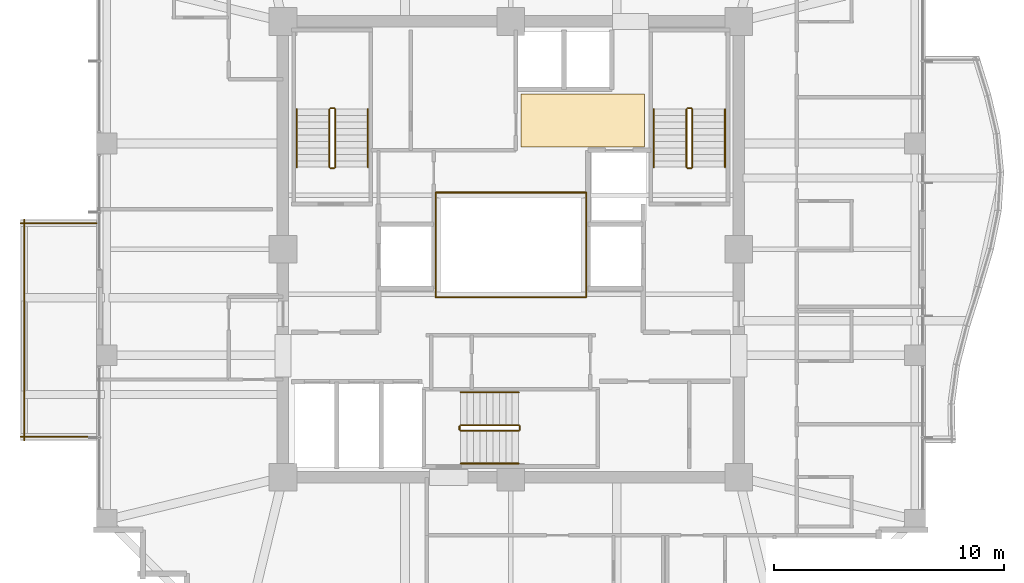
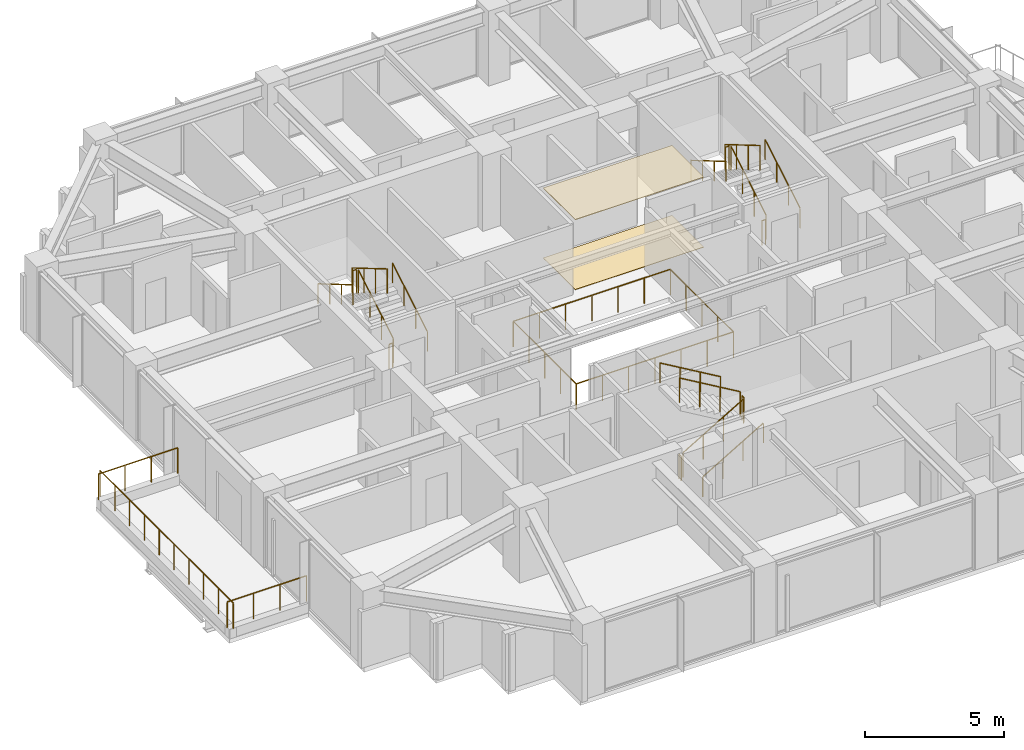
# One storey, part 31 of 32: 25 railings, 2 coverings.
"""IFC4 building model written with IfcOpenShell, lengths in metres."""

from ifc_helpers import new_model, si_unit, direction, frame, origin, origin_2d, place, context, subcontext, project, spatial, polyline, circle, outline, extrude, material, layer, layer_set, type_object, element, save


model = new_model("IFC4")

# Units and contexts
model_context = context("Model", 3, precision=1e-05, world=origin(), true_north=direction((0.0, 1.0)))
body_context = subcontext(model_context, "Body", "Model", "MODEL_VIEW")
ifc_project = project(units=[si_unit("LENGTHUNIT", "METRE"), si_unit("AREAUNIT", "SQUARE_METRE"), si_unit("VOLUMEUNIT", "CUBIC_METRE"), si_unit("PLANEANGLEUNIT", "RADIAN"), si_unit("MASSUNIT", "GRAM", prefix="KILO")], contexts=[model_context])

# Site, building, storey
site_placement = place(None, origin())
site = spatial("IfcSite", under=ifc_project, at=site_placement, CompositionType="ELEMENT")
building_placement = place(site_placement, origin())
building = spatial("IfcBuilding", under=site, at=building_placement, Name="Kolvaren Belvedere", CompositionType="ELEMENT")
storey_placement = place(building_placement, frame((0.0, 0.0, 141.5)))
storey = spatial("IfcBuildingStorey", under=building, at=storey_placement, Name="L41", CompositionType="ELEMENT", Elevation=141.5)

# Coverings
ifc_material_1 = material(Name="Acoustic perforated gypsum board", Category="gypsum")
ifc_layer_1 = layer(ifc_material_1, 0.02490234375)
ifc_layer_set_1 = layer_set([ifc_layer_1], Name="Acoustic perforated gypsum board")
covering_type_1 = type_object("IfcCoveringType", Name="COV-CEIL-GYP", PredefinedType="CEILING", material=ifc_layer_set_1)
covering_1_placement = place(storey_placement, frame((0.0, 0.0, 3.074951171875)))
element("IfcCovering", 1, at=covering_1_placement, inside=storey, type_object=covering_type_1, Name="L41 Lift Lobby Acoustic Baffle Ceiling", PredefinedType="CEILING", context=body_context, shape_type="SweptSolid", body=[
    extrude(outline(polyline([(0.449951171875, 4.449951171875), (5.800048828125, 4.449951171875), (5.800048828125, 6.75), (0.449951171875, 6.75), (0.449951171875, 4.449951171875)])), origin(), (0.0, 0.0, 1.0), 0.025146484375),
])
ifc_material_2 = material(Name="Engineered Pacific white oak", Category="timber")
ifc_layer_2 = layer(ifc_material_2, 0.02001953125)
ifc_layer_set_2 = layer_set([ifc_layer_2], Name="Engineered Pacific white oak")
covering_type_2 = type_object("IfcCoveringType", Name="COV-FLR-OAK", PredefinedType="FLOORING", material=ifc_layer_set_2)
covering_2_placement = place(storey_placement, origin())
element("IfcCovering", 2, at=covering_2_placement, inside=storey, type_object=covering_type_2, Name="L41 Lift Lobby Finish Flooring", PredefinedType="FLOORING", context=body_context, shape_type="SweptSolid", body=[
    extrude(outline(polyline([(0.449951171875, 4.449951171875), (5.800048828125, 4.449951171875), (5.800048828125, 6.75), (0.449951171875, 6.75), (0.449951171875, 4.449951171875)])), origin(), (0.0, 0.0, 1.0), 0.02001953125),
])

# Railings
ifc_material_3 = material(Name="Laminated glass & stainless-steel cap rail", Category="steel")
railing_type_1 = type_object("IfcRailingType", Name="RL-ATR-1150", PredefinedType="BALUSTRADE", material=ifc_material_3)
for number, where, name in (
    (3, (-3.27001953125, 2.469970703125, 0.0), "L41 Atrium North Glass Balustrade"),
    (4, (-3.27001953125, -2.070068359375, 0.0), "L41 Atrium South Glass Balustrade"),
):
    element("IfcRailing", number, at=place(storey_placement, frame(where)), inside=storey, type_object=railing_type_1, Name=name, PredefinedType="BALUSTRADE", context=body_context, shape_type="SweptSolid", body=[
        extrude(circle(Radius=0.02392578125, at=origin_2d()), frame((0.0, 0.0, 1.1259765625), z_axis=(1.0, 0.0, 0.0), x_axis=(0.0, 1.0, 0.0)), (0.0, 0.0, 1.0), 6.5400390625),
        extrude(circle(Radius=0.02099609375, at=origin_2d()), origin(), (0.0, 0.0, 1.0), 1.101806640625),
        extrude(circle(Radius=0.02099609375, at=origin_2d()), frame((1.090087890625, 0.0, 0.0)), (0.0, 0.0, 1.0), 1.101806640625),
        extrude(circle(Radius=0.02099609375, at=origin_2d()), frame((2.179931640625, 0.0, 0.0)), (0.0, 0.0, 1.0), 1.101806640625),
        extrude(circle(Radius=0.02099609375, at=origin_2d()), frame((3.27001953125, 0.0, 0.0)), (0.0, 0.0, 1.0), 1.101806640625),
        extrude(circle(Radius=0.02099609375, at=origin_2d()), frame((4.360107421875, 0.0, 0.0)), (0.0, 0.0, 1.0), 1.101806640625),
        extrude(circle(Radius=0.02099609375, at=origin_2d()), frame((5.449951171875, 0.0, 0.0)), (0.0, 0.0, 1.0), 1.101806640625),
        extrude(circle(Radius=0.02099609375, at=origin_2d()), frame((6.5400390625, 0.0, 0.0)), (0.0, 0.0, 1.0), 1.101806640625),
    ])
for number, where, name in (
    (5, (-3.27001953125, -2.070068359375, 0.0), "L41 Atrium West Glass Balustrade"),
    (6, (3.27001953125, -2.070068359375, 0.0), "L41 Atrium East Glass Balustrade"),
):
    element("IfcRailing", number, at=place(storey_placement, frame(where)), inside=storey, type_object=railing_type_1, Name=name, PredefinedType="BALUSTRADE", context=body_context, shape_type="SweptSolid", body=[
        extrude(circle(Radius=0.02392578125, at=origin_2d()), frame((0.0, 0.0, 1.1259765625), z_axis=(0.0, 1.0, 0.0), x_axis=(-1.0, 0.0, 0.0)), (0.0, 0.0, 1.0), 4.5400390625),
        extrude(circle(Radius=0.02099609375, at=origin_2d()), origin(), (0.0, 0.0, 1.0), 1.101806640625),
        extrude(circle(Radius=0.02099609375, at=origin_2d()), frame((0.0, 1.135009765625, 0.0)), (0.0, 0.0, 1.0), 1.101806640625),
        extrude(circle(Radius=0.02099609375, at=origin_2d()), frame((0.0, 2.27001953125, 0.0)), (0.0, 0.0, 1.0), 1.101806640625),
        extrude(circle(Radius=0.02099609375, at=origin_2d()), frame((0.0, 3.405029296875, 0.0)), (0.0, 0.0, 1.0), 1.101806640625),
        extrude(circle(Radius=0.02099609375, at=origin_2d()), frame((0.0, 4.5400390625, 0.0)), (0.0, 0.0, 1.0), 1.101806640625),
    ])
ifc_material_4 = material(Name="Anodised pale-metal aluminium & laminated glass guard", Category="aluminium")
railing_type_2 = type_object("IfcRailingType", Name="RL-GUARD-1150", PredefinedType="GUARDRAIL", material=ifc_material_4)
railing_1_placement = place(storey_placement, frame((-21.300048828125, -8.139892578125, 0.39990234375)))
element("IfcRailing", 7, at=railing_1_placement, inside=storey, type_object=railing_type_2, Name="L41 Exterior Deck Safety Guard SPIRAL-06-W-1", PredefinedType="GUARDRAIL", context=body_context, shape_type="SweptSolid", body=[
    extrude(circle(Radius=0.02392578125, at=origin_2d()), frame((0.0, 0.0, 1.1259765625), z_axis=(1.0, 0.0, 0.0), x_axis=(0.0, 1.0, 0.0)), (0.0, 0.0, 1.0), 3.300048828125),
    extrude(circle(Radius=0.02099609375, at=origin_2d()), origin(), (0.0, 0.0, 1.0), 1.101806640625),
    extrude(circle(Radius=0.02099609375, at=origin_2d()), frame((1.10009765625, 0.0, 0.0)), (0.0, 0.0, 1.0), 1.101806640625),
    extrude(circle(Radius=0.02099609375, at=origin_2d()), frame((2.199951171875, 0.0, 0.0)), (0.0, 0.0, 1.0), 1.101806640625),
    extrude(circle(Radius=0.02099609375, at=origin_2d()), frame((3.300048828125, 0.0, 0.0)), (0.0, 0.0, 1.0), 1.101806640625),
])
railing_2_placement = place(storey_placement, frame((-18.0, 1.139892578125, 0.39990234375)))
element("IfcRailing", 8, at=railing_2_placement, inside=storey, type_object=railing_type_2, Name="L41 Exterior Deck Safety Guard SPIRAL-06-W-3", PredefinedType="GUARDRAIL", context=body_context, shape_type="SweptSolid", body=[
    extrude(circle(Radius=0.02392578125, at=origin_2d()), frame((0.0, 0.0, 1.1259765625), z_axis=(-1.0, 0.0, 0.0), x_axis=(0.0, -1.0, 0.0)), (0.0, 0.0, 1.0), 3.300048828125),
    extrude(circle(Radius=0.02099609375, at=origin_2d()), origin(), (0.0, 0.0, 1.0), 1.101806640625),
    extrude(circle(Radius=0.02099609375, at=origin_2d()), frame((-1.10009765625, 0.0, 0.0)), (0.0, 0.0, 1.0), 1.101806640625),
    extrude(circle(Radius=0.02099609375, at=origin_2d()), frame((-2.199951171875, 0.0, 0.0)), (0.0, 0.0, 1.0), 1.101806640625),
    extrude(circle(Radius=0.02099609375, at=origin_2d()), frame((-3.300048828125, 0.0, 0.0)), (0.0, 0.0, 1.0), 1.101806640625),
])
railing_3_placement = place(storey_placement, frame((-21.139892578125, 1.300048828125, 0.39990234375)))
element("IfcRailing", 9, at=railing_3_placement, inside=storey, type_object=railing_type_2, Name="L41 Exterior Deck Safety Guard SPIRAL-06-W-4", PredefinedType="GUARDRAIL", context=body_context, shape_type="SweptSolid", body=[
    extrude(circle(Radius=0.02392578125, at=origin_2d()), frame((0.0, 0.0, 1.1259765625), z_axis=(0.0, -1.0, 0.0), x_axis=(1.0, 0.0, 0.0)), (0.0, 0.0, 1.0), 9.60009765625),
    extrude(circle(Radius=0.02099609375, at=origin_2d()), origin(), (0.0, 0.0, 1.0), 1.101806640625),
    extrude(circle(Radius=0.02099609375, at=origin_2d()), frame((0.0, -1.066650390625, 0.0)), (0.0, 0.0, 1.0), 1.101806640625),
    extrude(circle(Radius=0.02099609375, at=origin_2d()), frame((0.0, -2.13330078125, 0.0)), (0.0, 0.0, 1.0), 1.101806640625),
    extrude(circle(Radius=0.02099609375, at=origin_2d()), frame((0.0, -3.199951171875, 0.0)), (0.0, 0.0, 1.0), 1.101806640625),
    extrude(circle(Radius=0.02099609375, at=origin_2d()), frame((0.0, -4.2666015625, 0.0)), (0.0, 0.0, 1.0), 1.101806640625),
    extrude(circle(Radius=0.02099609375, at=origin_2d()), frame((0.0, -5.33349609375, 0.0)), (0.0, 0.0, 1.0), 1.101806640625),
    extrude(circle(Radius=0.02099609375, at=origin_2d()), frame((0.0, -6.400146484375, 0.0)), (0.0, 0.0, 1.0), 1.101806640625),
    extrude(circle(Radius=0.02099609375, at=origin_2d()), frame((0.0, -7.466796875, 0.0)), (0.0, 0.0, 1.0), 1.101806640625),
    extrude(circle(Radius=0.02099609375, at=origin_2d()), frame((0.0, -8.533447265625, 0.0)), (0.0, 0.0, 1.0), 1.101806640625),
    extrude(circle(Radius=0.02099609375, at=origin_2d()), frame((0.0, -9.60009765625, 0.0)), (0.0, 0.0, 1.0), 1.101806640625),
])
ifc_material_5 = material(Name="Brushed stainless-steel handrail", Category="steel")
railing_type_3 = type_object("IfcRailingType", Name="RL-HANDRAIL-920", PredefinedType="HANDRAIL", material=ifc_material_5)
railing_4_placement = place(storey_placement, frame((-6.2099609375, 3.570068359375, 0.1650390625)))
element("IfcRailing", 10, at=railing_4_placement, inside=storey, type_object=railing_type_3, Name="L41 ST-1 stair handrail 1", PredefinedType="HANDRAIL", context=body_context, shape_type="SweptSolid", body=[
    extrude(circle(Radius=0.02392578125, at=origin_2d()), frame((0.0, 0.0, 0.8759765625), z_axis=(0.0, 0.861560626758, 0.507654692109), x_axis=(-1.0, 0.0, 0.0)), (0.0, 0.0, 1.0), 2.925048828125),
    extrude(circle(Radius=0.02099609375, at=origin_2d()), origin(), (0.0, 0.0, 1.0), 0.851806640625),
    extrude(circle(Radius=0.02099609375, at=origin_2d()), frame((0.0, 0.840087890625, 0.494873046875)), (0.0, 0.0, 1.0), 0.851806640625),
    extrude(circle(Radius=0.02099609375, at=origin_2d()), frame((0.0, 1.679931640625, 0.989990234375)), (0.0, 0.0, 1.0), 0.851806640625),
    extrude(circle(Radius=0.02099609375, at=origin_2d()), frame((0.0, 2.52001953125, 1.48486328125)), (0.0, 0.0, 1.0), 0.851806640625),
])
railing_5_placement = place(storey_placement, frame((-9.300048828125, 6.090087890625, 1.81494140625)))
element("IfcRailing", 11, at=railing_5_placement, inside=storey, type_object=railing_type_3, Name="L41 ST-1 stair handrail 2", PredefinedType="HANDRAIL", context=body_context, shape_type="SweptSolid", body=[
    extrude(circle(Radius=0.02392578125, at=origin_2d()), frame((0.0, 0.0, 0.8759765625), z_axis=(0.0, -0.86152411907, 0.507716645641), x_axis=(1.0, 0.0, 0.0)), (0.0, 0.0, 1.0), 2.925048828125),
    extrude(circle(Radius=0.02099609375, at=origin_2d()), origin(), (0.0, 0.0, 1.0), 0.851806640625),
    extrude(circle(Radius=0.02099609375, at=origin_2d()), frame((0.0, -0.840087890625, 0.4951171875)), (0.0, 0.0, 1.0), 0.851806640625),
    extrude(circle(Radius=0.02099609375, at=origin_2d()), frame((0.0, -1.679931640625, 0.989990234375)), (0.0, 0.0, 1.0), 0.851806640625),
    extrude(circle(Radius=0.02099609375, at=origin_2d()), frame((0.0, -2.52001953125, 1.485107421875)), (0.0, 0.0, 1.0), 0.851806640625),
])
railing_6_placement = place(storey_placement, frame((9.300048828125, 3.570068359375, 0.1650390625)))
element("IfcRailing", 12, at=railing_6_placement, inside=storey, type_object=railing_type_3, Name="L41 ST-2 stair handrail 1", PredefinedType="HANDRAIL", context=body_context, shape_type="SweptSolid", body=[
    extrude(circle(Radius=0.02392578125, at=origin_2d()), frame((0.0, 0.0, 0.8759765625), z_axis=(0.0, 0.861560626758, 0.507654692109), x_axis=(-1.0, 0.0, 0.0)), (0.0, 0.0, 1.0), 2.925048828125),
    extrude(circle(Radius=0.02099609375, at=origin_2d()), origin(), (0.0, 0.0, 1.0), 0.851806640625),
    extrude(circle(Radius=0.02099609375, at=origin_2d()), frame((0.0, 0.840087890625, 0.494873046875)), (0.0, 0.0, 1.0), 0.851806640625),
    extrude(circle(Radius=0.02099609375, at=origin_2d()), frame((0.0, 1.679931640625, 0.989990234375)), (0.0, 0.0, 1.0), 0.851806640625),
    extrude(circle(Radius=0.02099609375, at=origin_2d()), frame((0.0, 2.52001953125, 1.48486328125)), (0.0, 0.0, 1.0), 0.851806640625),
])
railing_7_placement = place(storey_placement, frame((6.2099609375, 6.090087890625, 1.81494140625)))
element("IfcRailing", 13, at=railing_7_placement, inside=storey, type_object=railing_type_3, Name="L41 ST-2 stair handrail 2", PredefinedType="HANDRAIL", context=body_context, shape_type="SweptSolid", body=[
    extrude(circle(Radius=0.02392578125, at=origin_2d()), frame((0.0, 0.0, 0.8759765625), z_axis=(0.0, -0.86152411907, 0.507716645641), x_axis=(1.0, 0.0, 0.0)), (0.0, 0.0, 1.0), 2.925048828125),
    extrude(circle(Radius=0.02099609375, at=origin_2d()), origin(), (0.0, 0.0, 1.0), 0.851806640625),
    extrude(circle(Radius=0.02099609375, at=origin_2d()), frame((0.0, -0.840087890625, 0.4951171875)), (0.0, 0.0, 1.0), 0.851806640625),
    extrude(circle(Radius=0.02099609375, at=origin_2d()), frame((0.0, -1.679931640625, 0.989990234375)), (0.0, 0.0, 1.0), 0.851806640625),
    extrude(circle(Radius=0.02099609375, at=origin_2d()), frame((0.0, -2.52001953125, 1.485107421875)), (0.0, 0.0, 1.0), 0.851806640625),
])
railing_8_placement = place(storey_placement, frame((-2.179931640625, -9.300048828125, 0.1650390625)))
element("IfcRailing", 14, at=railing_8_placement, inside=storey, type_object=railing_type_3, Name="L41 ST-3 stair handrail 1", PredefinedType="HANDRAIL", context=body_context, shape_type="SweptSolid", body=[
    extrude(circle(Radius=0.02392578125, at=origin_2d()), frame((0.0, 0.0, 0.8759765625), z_axis=(0.861560626758, 0.0, 0.507654692109), x_axis=(0.0, 1.0, 0.0)), (0.0, 0.0, 1.0), 2.925048828125),
    extrude(circle(Radius=0.02099609375, at=origin_2d()), origin(), (0.0, 0.0, 1.0), 0.851806640625),
    extrude(circle(Radius=0.02099609375, at=origin_2d()), frame((0.840087890625, 0.0, 0.494873046875)), (0.0, 0.0, 1.0), 0.851806640625),
    extrude(circle(Radius=0.02099609375, at=origin_2d()), frame((1.679931640625, 0.0, 0.989990234375)), (0.0, 0.0, 1.0), 0.851806640625),
    extrude(circle(Radius=0.02099609375, at=origin_2d()), frame((2.52001953125, 0.0, 1.48486328125)), (0.0, 0.0, 1.0), 0.851806640625),
])
railing_9_placement = place(storey_placement, frame((0.340087890625, -6.2099609375, 1.81494140625)))
element("IfcRailing", 15, at=railing_9_placement, inside=storey, type_object=railing_type_3, Name="L41 ST-3 stair handrail 2", PredefinedType="HANDRAIL", context=body_context, shape_type="SweptSolid", body=[
    extrude(circle(Radius=0.02392578125, at=origin_2d()), frame((0.0, 0.0, 0.8759765625), z_axis=(-0.86152411907, 0.0, 0.507716645641), x_axis=(0.0, -1.0, 0.0)), (0.0, 0.0, 1.0), 2.925048828125),
    extrude(circle(Radius=0.02099609375, at=origin_2d()), origin(), (0.0, 0.0, 1.0), 0.851806640625),
    extrude(circle(Radius=0.02099609375, at=origin_2d()), frame((-0.840087890625, 0.0, 0.4951171875)), (0.0, 0.0, 1.0), 0.851806640625),
    extrude(circle(Radius=0.02099609375, at=origin_2d()), frame((-1.679931640625, 0.0, 0.989990234375)), (0.0, 0.0, 1.0), 0.851806640625),
    extrude(circle(Radius=0.02099609375, at=origin_2d()), frame((-2.52001953125, 0.0, 1.485107421875)), (0.0, 0.0, 1.0), 0.851806640625),
])
ifc_material_6 = material(Name="Painted tubular steel stair guard", Category="steel")
railing_type_4 = type_object("IfcRailingType", Name="RL-STGUARD-1100", PredefinedType="GUARDRAIL", material=ifc_material_6)
railing_10_placement = place(storey_placement, frame((-7.6298828125, 3.570068359375, 0.1650390625)))
element("IfcRailing", 16, at=railing_10_placement, inside=storey, type_object=railing_type_4, Name="L41 ST-1 stair guard 1", PredefinedType="GUARDRAIL", context=body_context, shape_type="SweptSolid", body=[
    extrude(circle(Radius=0.02392578125, at=origin_2d()), frame((0.0, 0.0, 1.076171875), z_axis=(0.0, 0.861560626758, 0.507654692109), x_axis=(-1.0, 0.0, 0.0)), (0.0, 0.0, 1.0), 2.925048828125),
    extrude(circle(Radius=0.02099609375, at=origin_2d()), origin(), (0.0, 0.0, 1.0), 1.052001953125),
    extrude(circle(Radius=0.02099609375, at=origin_2d()), frame((0.0, 0.840087890625, 0.494873046875)), (0.0, 0.0, 1.0), 1.052001953125),
    extrude(circle(Radius=0.02099609375, at=origin_2d()), frame((0.0, 1.679931640625, 0.989990234375)), (0.0, 0.0, 1.0), 1.052001953125),
    extrude(circle(Radius=0.02099609375, at=origin_2d()), frame((0.0, 2.52001953125, 1.48486328125)), (0.0, 0.0, 1.0), 1.052001953125),
])
railing_11_placement = place(storey_placement, frame((-7.679931640625, 6.139892578125, 1.64990234375)))
element("IfcRailing", 17, at=railing_11_placement, inside=storey, type_object=railing_type_4, Name="L41 ST-1 stair guard 2", PredefinedType="GUARDRAIL", context=body_context, shape_type="SweptSolid", body=[
    extrude(circle(Radius=0.02392578125, at=origin_2d()), frame((0.0, 0.0, 1.076171875), z_axis=(-1.0, 0.0, 0.0), x_axis=(0.0, -1.0, 0.0)), (0.0, 0.0, 1.0), 0.150146484375),
    extrude(circle(Radius=0.02099609375, at=origin_2d()), origin(), (0.0, 0.0, 1.0), 1.052001953125),
    extrude(circle(Radius=0.02099609375, at=origin_2d()), frame((-0.150146484375, 0.0, 0.0)), (0.0, 0.0, 1.0), 1.052001953125),
])
railing_12_placement = place(storey_placement, frame((-7.8798828125, 6.090087890625, 1.81494140625)))
element("IfcRailing", 18, at=railing_12_placement, inside=storey, type_object=railing_type_4, Name="L41 ST-1 stair guard 3", PredefinedType="GUARDRAIL", context=body_context, shape_type="SweptSolid", body=[
    extrude(circle(Radius=0.02392578125, at=origin_2d()), frame((0.0, 0.0, 1.076171875), z_axis=(0.0, -0.86152411907, 0.507716645641), x_axis=(1.0, 0.0, 0.0)), (0.0, 0.0, 1.0), 2.925048828125),
    extrude(circle(Radius=0.02099609375, at=origin_2d()), origin(), (0.0, 0.0, 1.0), 1.052001953125),
    extrude(circle(Radius=0.02099609375, at=origin_2d()), frame((0.0, -0.840087890625, 0.4951171875)), (0.0, 0.0, 1.0), 1.052001953125),
    extrude(circle(Radius=0.02099609375, at=origin_2d()), frame((0.0, -1.679931640625, 0.989990234375)), (0.0, 0.0, 1.0), 1.052001953125),
    extrude(circle(Radius=0.02099609375, at=origin_2d()), frame((0.0, -2.52001953125, 1.485107421875)), (0.0, 0.0, 1.0), 1.052001953125),
])
railing_13_placement = place(storey_placement, frame((-7.679931640625, 3.52001953125, 0.0)))
element("IfcRailing", 19, at=railing_13_placement, inside=storey, type_object=railing_type_4, Name="L41 ST-1 stair guard 4", PredefinedType="GUARDRAIL", context=body_context, shape_type="SweptSolid", body=[
    extrude(circle(Radius=0.02392578125, at=origin_2d()), frame((0.0, 0.0, 1.076171875), z_axis=(-1.0, 0.0, 0.0), x_axis=(0.0, -1.0, 0.0)), (0.0, 0.0, 1.0), 0.150146484375),
    extrude(circle(Radius=0.02099609375, at=origin_2d()), origin(), (0.0, 0.0, 1.0), 1.052001953125),
    extrude(circle(Radius=0.02099609375, at=origin_2d()), frame((-0.150146484375, 0.0, 0.0)), (0.0, 0.0, 1.0), 1.052001953125),
])
railing_14_placement = place(storey_placement, frame((7.8798828125, 3.570068359375, 0.1650390625)))
element("IfcRailing", 20, at=railing_14_placement, inside=storey, type_object=railing_type_4, Name="L41 ST-2 stair guard 1", PredefinedType="GUARDRAIL", context=body_context, shape_type="SweptSolid", body=[
    extrude(circle(Radius=0.02392578125, at=origin_2d()), frame((0.0, 0.0, 1.076171875), z_axis=(0.0, 0.861560626758, 0.507654692109), x_axis=(-1.0, 0.0, 0.0)), (0.0, 0.0, 1.0), 2.925048828125),
    extrude(circle(Radius=0.02099609375, at=origin_2d()), origin(), (0.0, 0.0, 1.0), 1.052001953125),
    extrude(circle(Radius=0.02099609375, at=origin_2d()), frame((0.0, 0.840087890625, 0.494873046875)), (0.0, 0.0, 1.0), 1.052001953125),
    extrude(circle(Radius=0.02099609375, at=origin_2d()), frame((0.0, 1.679931640625, 0.989990234375)), (0.0, 0.0, 1.0), 1.052001953125),
    extrude(circle(Radius=0.02099609375, at=origin_2d()), frame((0.0, 2.52001953125, 1.48486328125)), (0.0, 0.0, 1.0), 1.052001953125),
])
railing_15_placement = place(storey_placement, frame((7.830078125, 6.139892578125, 1.64990234375)))
element("IfcRailing", 21, at=railing_15_placement, inside=storey, type_object=railing_type_4, Name="L41 ST-2 stair guard 2", PredefinedType="GUARDRAIL", context=body_context, shape_type="SweptSolid", body=[
    extrude(circle(Radius=0.02392578125, at=origin_2d()), frame((0.0, 0.0, 1.076171875), z_axis=(-1.0, 0.0, 0.0), x_axis=(0.0, -1.0, 0.0)), (0.0, 0.0, 1.0), 0.150146484375),
    extrude(circle(Radius=0.02099609375, at=origin_2d()), origin(), (0.0, 0.0, 1.0), 1.052001953125),
    extrude(circle(Radius=0.02099609375, at=origin_2d()), frame((-0.150146484375, 0.0, 0.0)), (0.0, 0.0, 1.0), 1.052001953125),
])
railing_16_placement = place(storey_placement, frame((7.6298828125, 6.090087890625, 1.81494140625)))
element("IfcRailing", 22, at=railing_16_placement, inside=storey, type_object=railing_type_4, Name="L41 ST-2 stair guard 3", PredefinedType="GUARDRAIL", context=body_context, shape_type="SweptSolid", body=[
    extrude(circle(Radius=0.02392578125, at=origin_2d()), frame((0.0, 0.0, 1.076171875), z_axis=(0.0, -0.86152411907, 0.507716645641), x_axis=(1.0, 0.0, 0.0)), (0.0, 0.0, 1.0), 2.925048828125),
    extrude(circle(Radius=0.02099609375, at=origin_2d()), origin(), (0.0, 0.0, 1.0), 1.052001953125),
    extrude(circle(Radius=0.02099609375, at=origin_2d()), frame((0.0, -0.840087890625, 0.4951171875)), (0.0, 0.0, 1.0), 1.052001953125),
    extrude(circle(Radius=0.02099609375, at=origin_2d()), frame((0.0, -1.679931640625, 0.989990234375)), (0.0, 0.0, 1.0), 1.052001953125),
    extrude(circle(Radius=0.02099609375, at=origin_2d()), frame((0.0, -2.52001953125, 1.485107421875)), (0.0, 0.0, 1.0), 1.052001953125),
])
railing_17_placement = place(storey_placement, frame((7.830078125, 3.52001953125, 0.0)))
element("IfcRailing", 23, at=railing_17_placement, inside=storey, type_object=railing_type_4, Name="L41 ST-2 stair guard 4", PredefinedType="GUARDRAIL", context=body_context, shape_type="SweptSolid", body=[
    extrude(circle(Radius=0.02392578125, at=origin_2d()), frame((0.0, 0.0, 1.076171875), z_axis=(-1.0, 0.0, 0.0), x_axis=(0.0, -1.0, 0.0)), (0.0, 0.0, 1.0), 0.150146484375),
    extrude(circle(Radius=0.02099609375, at=origin_2d()), origin(), (0.0, 0.0, 1.0), 1.052001953125),
    extrude(circle(Radius=0.02099609375, at=origin_2d()), frame((-0.150146484375, 0.0, 0.0)), (0.0, 0.0, 1.0), 1.052001953125),
])
railing_18_placement = place(storey_placement, frame((-2.179931640625, -7.8798828125, 0.1650390625)))
element("IfcRailing", 24, at=railing_18_placement, inside=storey, type_object=railing_type_4, Name="L41 ST-3 stair guard 1", PredefinedType="GUARDRAIL", context=body_context, shape_type="SweptSolid", body=[
    extrude(circle(Radius=0.02392578125, at=origin_2d()), frame((0.0, 0.0, 1.076171875), z_axis=(0.861560626758, 0.0, 0.507654692109), x_axis=(0.0, 1.0, 0.0)), (0.0, 0.0, 1.0), 2.925048828125),
    extrude(circle(Radius=0.02099609375, at=origin_2d()), origin(), (0.0, 0.0, 1.0), 1.052001953125),
    extrude(circle(Radius=0.02099609375, at=origin_2d()), frame((0.840087890625, 0.0, 0.494873046875)), (0.0, 0.0, 1.0), 1.052001953125),
    extrude(circle(Radius=0.02099609375, at=origin_2d()), frame((1.679931640625, 0.0, 0.989990234375)), (0.0, 0.0, 1.0), 1.052001953125),
    extrude(circle(Radius=0.02099609375, at=origin_2d()), frame((2.52001953125, 0.0, 1.48486328125)), (0.0, 0.0, 1.0), 1.052001953125),
])
railing_19_placement = place(storey_placement, frame((0.389892578125, -7.830078125, 1.64990234375)))
element("IfcRailing", 25, at=railing_19_placement, inside=storey, type_object=railing_type_4, Name="L41 ST-3 stair guard 2", PredefinedType="GUARDRAIL", context=body_context, shape_type="SweptSolid", body=[
    extrude(circle(Radius=0.02392578125, at=origin_2d()), frame((0.0, 0.0, 1.076171875), z_axis=(0.0, 1.0, 0.0), x_axis=(-1.0, 0.0, 0.0)), (0.0, 0.0, 1.0), 0.150146484375),
    extrude(circle(Radius=0.02099609375, at=origin_2d()), origin(), (0.0, 0.0, 1.0), 1.052001953125),
    extrude(circle(Radius=0.02099609375, at=origin_2d()), frame((0.0, 0.150146484375, 0.0)), (0.0, 0.0, 1.0), 1.052001953125),
])
railing_20_placement = place(storey_placement, frame((0.340087890625, -7.6298828125, 1.81494140625)))
element("IfcRailing", 26, at=railing_20_placement, inside=storey, type_object=railing_type_4, Name="L41 ST-3 stair guard 3", PredefinedType="GUARDRAIL", context=body_context, shape_type="SweptSolid", body=[
    extrude(circle(Radius=0.02392578125, at=origin_2d()), frame((0.0, 0.0, 1.076171875), z_axis=(-0.86152411907, 0.0, 0.507716645641), x_axis=(0.0, -1.0, 0.0)), (0.0, 0.0, 1.0), 2.925048828125),
    extrude(circle(Radius=0.02099609375, at=origin_2d()), origin(), (0.0, 0.0, 1.0), 1.052001953125),
    extrude(circle(Radius=0.02099609375, at=origin_2d()), frame((-0.840087890625, 0.0, 0.4951171875)), (0.0, 0.0, 1.0), 1.052001953125),
    extrude(circle(Radius=0.02099609375, at=origin_2d()), frame((-1.679931640625, 0.0, 0.989990234375)), (0.0, 0.0, 1.0), 1.052001953125),
    extrude(circle(Radius=0.02099609375, at=origin_2d()), frame((-2.52001953125, 0.0, 1.485107421875)), (0.0, 0.0, 1.0), 1.052001953125),
])
railing_21_placement = place(storey_placement, frame((-2.22998046875, -7.830078125, 0.0)))
element("IfcRailing", 27, at=railing_21_placement, inside=storey, type_object=railing_type_4, Name="L41 ST-3 stair guard 4", PredefinedType="GUARDRAIL", context=body_context, shape_type="SweptSolid", body=[
    extrude(circle(Radius=0.02392578125, at=origin_2d()), frame((0.0, 0.0, 1.076171875), z_axis=(0.0, 1.0, 0.0), x_axis=(-1.0, 0.0, 0.0)), (0.0, 0.0, 1.0), 0.150146484375),
    extrude(circle(Radius=0.02099609375, at=origin_2d()), origin(), (0.0, 0.0, 1.0), 1.052001953125),
    extrude(circle(Radius=0.02099609375, at=origin_2d()), frame((0.0, 0.150146484375, 0.0)), (0.0, 0.0, 1.0), 1.052001953125),
])

save(model, "model.ifc")
